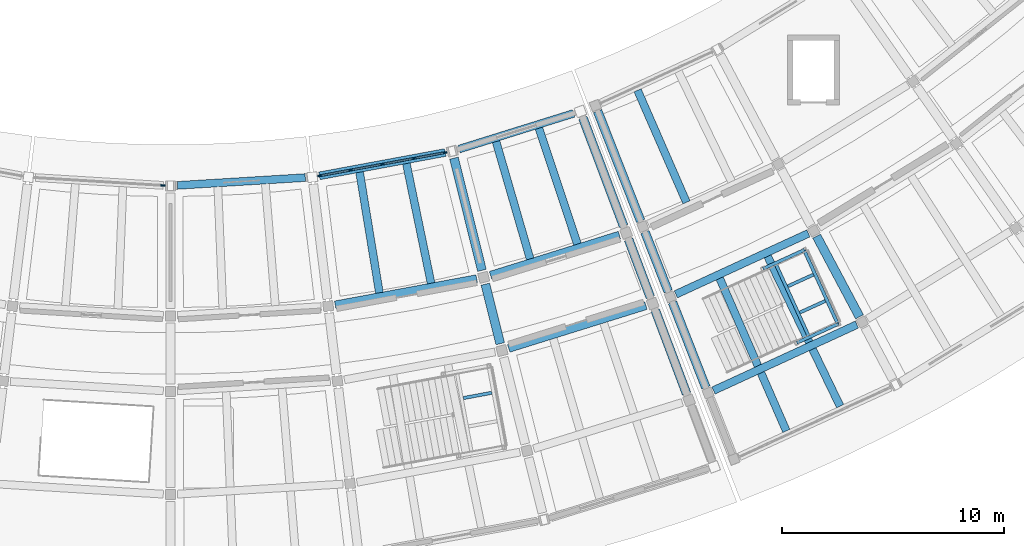
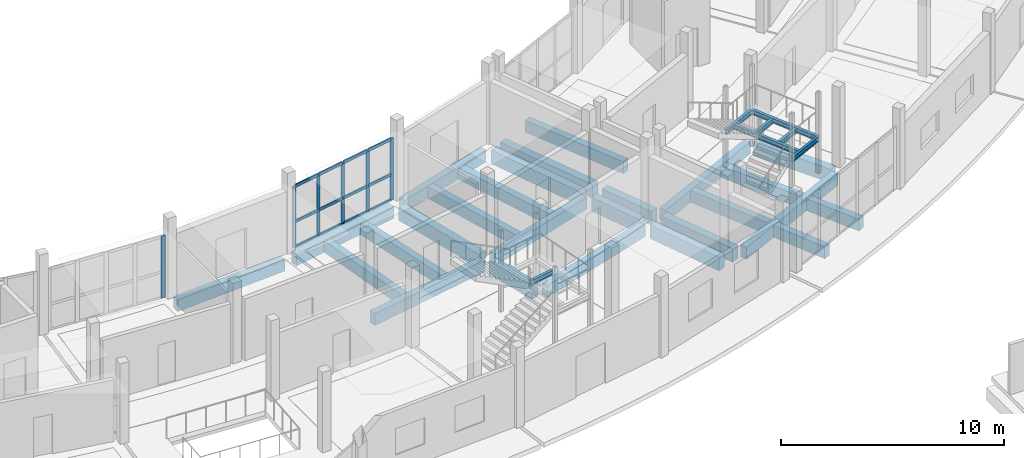
# One storey, part 34 of 92: 31 beams, 18 members, 2 elements without a shape of their own.
"""IFC4 building model written with IfcOpenShell, lengths in metres."""

from ifc_helpers import new_model, si_unit, direction, frame, origin, origin_2d, place, context, subcontext, project, spatial, rectangle, i_section, extrude, material, layer, layer_set, material_profile, profile_set, type_object, element, aggregate, save


model = new_model("IFC4")

# Units and contexts
model_context = context("Model", 3, precision=1e-05, world=origin(), true_north=direction((0.0, 1.0)))
body_context = subcontext(model_context, "Body", "Model", "MODEL_VIEW")
ifc_project = project(units=[si_unit("LENGTHUNIT", "METRE"), si_unit("AREAUNIT", "SQUARE_METRE"), si_unit("VOLUMEUNIT", "CUBIC_METRE"), si_unit("PLANEANGLEUNIT", "RADIAN"), si_unit("MASSUNIT", "GRAM", prefix="KILO")], contexts=[model_context])

# Site, building, storey
site_placement = place(None, origin())
site = spatial("IfcSite", under=ifc_project, at=site_placement, CompositionType="ELEMENT")
building_placement = place(site_placement, origin())
building = spatial("IfcBuilding", under=site, at=building_placement, Name="Caldaven Crescent School", CompositionType="ELEMENT")
storey_placement = place(building_placement, origin())
storey = spatial("IfcBuildingStorey", under=building, at=storey_placement, Name="L00", CompositionType="ELEMENT", Elevation=0.0)

# Beams
ifc_material_1 = material(Name="Concrete C30/37", Category="concrete")
ifc_material_profile_1 = material_profile(ifc_material_1, rectangle(XDim=0.35009765625, YDim=0.64990234375, at=origin_2d()), Name="RC 350x650")
ifc_profile_set_1 = profile_set([ifc_material_profile_1], Name="Concrete C30/37")
beam_type_1 = type_object("IfcBeamType", Name="BM-RC35", PredefinedType="BEAM", material=ifc_profile_set_1)
beam_1_placement = place(storey_placement, frame((95.419677734375, 38.19287109375, -0.5849609375), z_axis=(0.98325150179, 0.182253900447, 0.0), x_axis=(-0.182253900447, 0.98325150179, 0.0)))
element("IfcBeam", 1, at=beam_1_placement, inside=storey, type_object=beam_type_1, Name="BMT-V5-L00-0847", PredefinedType="BEAM", context=body_context, shape_type="SweptSolid", body=[
    extrude(rectangle(XDim=0.35009765625, YDim=0.64990234375, at=origin_2d()), origin(), (0.0, 0.0, 1.0), 6.47802734375),
])
for number, where, z_axis, x_axis, name in (
    (2, (96.5185546875, 44.162109375, -0.5849609375), (0.1621456196, -0.986766840771, 0.0), (0.986766840771, 0.1621456196, 0.0), "JSR-V5-L00-0851"),
    (3, (98.624267578125, 44.552490234375, -0.5849609375), (0.202223977827, -0.979339299115, 0.0), (0.979339299115, 0.202223977827, 0.0), "JSR-V5-L00-0853"),
):
    element("IfcBeam", number, at=place(storey_placement, frame(where, z_axis=z_axis, x_axis=x_axis)), inside=storey, type_object=beam_type_1, Name=name, PredefinedType="BEAM", context=body_context, shape_type="SweptSolid", body=[
        extrude(rectangle(XDim=0.35009765625, YDim=0.64990234375, at=origin_2d()), origin(), (0.0, 0.0, 1.0), 5.500244140625),
    ])
beam_2_placement = place(storey_placement, frame((102.40966796875, 39.52685546875, -0.5849609375), z_axis=(0.954744786765, 0.297426280187, 0.0), x_axis=(-0.297426280187, 0.954744786765, 0.0)))
element("IfcBeam", 4, at=beam_2_placement, inside=storey, type_object=beam_type_1, Name="BMT-V5-L00-0856", PredefinedType="BEAM", context=body_context, shape_type="SweptSolid", body=[
    extrude(rectangle(XDim=0.35009765625, YDim=0.64990234375, at=origin_2d()), origin(), (0.0, 0.0, 1.0), 6.07763671875),
])
beam_3_placement = place(storey_placement, frame((103.232177734375, 36.22802734375, -0.5849609375), z_axis=(0.954747523219, 0.297417495968, 0.0), x_axis=(-0.297417495968, 0.954747523219, 0.0)))
element("IfcBeam", 5, at=beam_3_placement, inside=storey, type_object=beam_type_1, Name="BMT-V5-L00-0857", PredefinedType="BEAM", context=body_context, shape_type="SweptSolid", body=[
    extrude(rectangle(XDim=0.35009765625, YDim=0.64990234375, at=origin_2d()), origin(), (0.0, 0.0, 1.0), 6.46923828125),
])
for number, where, z_axis, x_axis, name in (
    (6, (102.65966796875, 45.5439453125, -0.5849609375), (0.279002947137, -0.960290245441, 0.0), (0.960290245441, 0.279002947137, 0.0), "JSR-V5-L00-0860"),
    (7, (104.589111328125, 46.14501953125, -0.5849609375), (0.315748444817, -0.948842937264, 0.0), (0.948842937264, 0.315748444817, 0.0), "JSR-V5-L00-0862"),
):
    element("IfcBeam", number, at=place(storey_placement, frame(where, z_axis=z_axis, x_axis=x_axis)), inside=storey, type_object=beam_type_1, Name=name, PredefinedType="BEAM", context=body_context, shape_type="SweptSolid", body=[
        extrude(rectangle(XDim=0.35009765625, YDim=0.64990234375, at=origin_2d()), origin(), (0.0, 0.0, 1.0), 5.50146484375),
    ])
beam_4_placement = place(storey_placement, frame((110.752685546875, 38.66455078125, -0.5849609375), z_axis=(0.908527415964, 0.417825243902, 0.0), x_axis=(-0.417825243902, 0.908527415964, 0.0)))
element("IfcBeam", 8, at=beam_4_placement, inside=storey, type_object=beam_type_1, Name="BMT-V4E-L00-0890", PredefinedType="BEAM", context=body_context, shape_type="SweptSolid", body=[
    extrude(rectangle(XDim=0.35009765625, YDim=0.64990234375, at=origin_2d()), origin(), (0.0, 0.0, 1.0), 6.5693359375),
])
beam_5_placement = place(storey_placement, frame((112.448974609375, 34.3349609375, -0.5849609375), z_axis=(0.908521760174, 0.417837541744, 0.0), x_axis=(-0.417837541744, 0.908521760174, 0.0)))
element("IfcBeam", 9, at=beam_5_placement, inside=storey, type_object=beam_type_1, Name="BMT-V4E-L00-0891", PredefinedType="BEAM", context=body_context, shape_type="SweptSolid", body=[
    extrude(rectangle(XDim=0.35009765625, YDim=0.64990234375, at=origin_2d()), origin(), (0.0, 0.0, 1.0), 7.10498046875),
])
beam_6_placement = place(storey_placement, frame((109.031494140625, 47.85009765625, -0.5849609375), z_axis=(0.400262337977, -0.916400600609, 0.0), x_axis=(0.916400600609, 0.400262337977, 0.0)))
element("IfcBeam", 10, at=beam_6_placement, inside=storey, type_object=beam_type_1, Name="JSR-V4E-L00-0893", PredefinedType="BEAM", context=body_context, shape_type="SweptSolid", body=[
    extrude(rectangle(XDim=0.35009765625, YDim=0.64990234375, at=origin_2d()), origin(), (0.0, 0.0, 1.0), 5.501220703125),
])
for number, where, z_axis, x_axis, name in (
    (11, (112.728515625, 39.385986328125, -0.5849609375), (0.400260221892, -0.916401524863, 0.0), (0.916401524863, 0.400260221892, 0.0), "JSR-V4E-L00-0894"),
    (12, (114.887451171875, 40.37890625, -0.5849609375), (0.43521792748, -0.900325138825, 0.0), (0.900325138825, 0.43521792748, 0.0), "JSR-V4E-L00-0896"),
):
    element("IfcBeam", number, at=place(storey_placement, frame(where, z_axis=z_axis, x_axis=x_axis)), inside=storey, type_object=beam_type_1, Name=name, PredefinedType="BEAM", context=body_context, shape_type="SweptSolid", body=[
        extrude(rectangle(XDim=0.35009765625, YDim=0.64990234375, at=origin_2d()), origin(), (0.0, 0.0, 1.0), 7.498291015625),
    ])
ifc_material_2 = material(Name="Concrete C35/45", Category="concrete")
ifc_material_profile_2 = material_profile(ifc_material_2, rectangle(XDim=0.39990234375, YDim=0.75, at=origin_2d()), Name="RC 400x750")
ifc_profile_set_2 = profile_set([ifc_material_profile_2], Name="Concrete C35/45")
beam_type_2 = type_object("IfcBeamType", Name="BM-RC40", PredefinedType="BEAM", material=ifc_profile_set_2)
beam_7_placement = place(storey_placement, frame((100.76611328125, 44.797607421875, -0.635009765625), z_axis=(0.241929176694, -0.970293910866, 0.0), x_axis=(0.970293910866, 0.241929176694, 0.0)))
element("IfcBeam", 13, at=beam_7_placement, inside=storey, type_object=beam_type_2, Name="BMR-V5-L00-0806", PredefinedType="BEAM", context=body_context, shape_type="SweptSolid", body=[
    extrude(rectangle(XDim=0.39990234375, YDim=0.75, at=origin_2d()), origin(), (0.0, 0.0, 1.0), 5.210205078125),
])
beam_8_placement = place(storey_placement, frame((102.181396484375, 39.121337890625, -0.635009765625), z_axis=(0.241931983941, -0.970293210914, 0.0), x_axis=(0.970293210914, 0.241931983941, 0.0)))
element("IfcBeam", 14, at=beam_8_placement, inside=storey, type_object=beam_type_2, Name="BMR-V5-L00-0807", PredefinedType="BEAM", context=body_context, shape_type="SweptSolid", body=[
    extrude(rectangle(XDim=0.39990234375, YDim=0.75, at=origin_2d()), origin(), (0.0, 0.0, 1.0), 2.760009765625),
])
beam_9_placement = place(storey_placement, frame((106.571533203125, 46.60595703125, -0.635009765625), z_axis=(0.351919294366, -0.936030346865, 0.0), x_axis=(0.936030346865, 0.351919294366, 0.0)))
element("IfcBeam", 15, at=beam_9_placement, inside=storey, type_object=beam_type_2, Name="BMR-V5-L00-0810", PredefinedType="BEAM", context=body_context, shape_type="SweptSolid", body=[
    extrude(rectangle(XDim=0.39990234375, YDim=0.75, at=origin_2d()), origin(), (0.0, 0.0, 1.0), 5.2099609375),
])
beam_10_placement = place(storey_placement, frame((108.630126953125, 41.130126953125, -0.635009765625), z_axis=(0.351956947483, -0.93601618956, 0.0), x_axis=(0.93601618956, 0.351956947483, 0.0)))
element("IfcBeam", 16, at=beam_10_placement, inside=storey, type_object=beam_type_2, Name="BMR-V5-L00-0811", PredefinedType="BEAM", context=body_context, shape_type="SweptSolid", body=[
    extrude(rectangle(XDim=0.39990234375, YDim=0.75, at=origin_2d()), origin(), (0.0, 0.0, 1.0), 2.760009765625),
])
beam_11_placement = place(storey_placement, frame((109.826904296875, 37.94775390625, -0.635009765625), z_axis=(0.35191064183, -0.936033599913, 0.0), x_axis=(0.936033599913, 0.35191064183, 0.0)))
element("IfcBeam", 17, at=beam_11_placement, inside=storey, type_object=beam_type_2, Name="BMR-V5-L00-0812", PredefinedType="BEAM", context=body_context, shape_type="SweptSolid", body=[
    extrude(rectangle(XDim=0.39990234375, YDim=0.75, at=origin_2d()), origin(), (0.0, 0.0, 1.0), 4.010009765625),
])
beam_12_placement = place(storey_placement, frame((107.231689453125, 46.912841796875, -0.635009765625), z_axis=(0.364785905492, -0.931091425777, 0.0), x_axis=(0.931091425777, 0.364785905492, 0.0)))
element("IfcBeam", 18, at=beam_12_placement, inside=storey, type_object=beam_type_2, Name="BMR-V4E-L00-0864", PredefinedType="BEAM", context=body_context, shape_type="SweptSolid", body=[
    extrude(rectangle(XDim=0.39990234375, YDim=0.75, at=origin_2d()), origin(), (0.0, 0.0, 1.0), 5.31005859375),
])
beam_13_placement = place(storey_placement, frame((109.365478515625, 41.466064453125, -0.635009765625), z_axis=(0.364817703194, -0.931078967347, 0.0), x_axis=(0.931078967347, 0.364817703194, 0.0)))
element("IfcBeam", 19, at=beam_13_placement, inside=storey, type_object=beam_type_2, Name="BMR-V4E-L00-0865", PredefinedType="BEAM", context=body_context, shape_type="SweptSolid", body=[
    extrude(rectangle(XDim=0.39990234375, YDim=0.75, at=origin_2d()), origin(), (0.0, 0.0, 1.0), 2.860107421875),
])
for number, where, z_axis, x_axis, name in (
    (20, (110.60595703125, 38.30029296875, -0.635009765625), (0.364795759653, -0.931087565022, 0.0), (0.931087565022, 0.364795759653, 0.0), "BMR-V4E-L00-0866"),
    (21, (117.09326171875, 41.28369140625, -0.635009765625), (0.469456327147, -0.882955693623, 0.0), (0.882955693623, 0.469456327147, 0.0), "BMR-V4E-L00-0870"),
):
    element("IfcBeam", number, at=place(storey_placement, frame(where, z_axis=z_axis, x_axis=x_axis)), inside=storey, type_object=beam_type_2, Name=name, PredefinedType="BEAM", context=body_context, shape_type="SweptSolid", body=[
        extrude(rectangle(XDim=0.39990234375, YDim=0.75, at=origin_2d()), origin(), (0.0, 0.0, 1.0), 4.10986328125),
    ])
ifc_material_3 = material(Name="Steel ASTM A572 Grade 50", Category="steel")
ifc_material_profile_3 = material_profile(ifc_material_3, i_section(OverallWidth=0.14599609375, OverallDepth=0.258056640625, WebThickness=0.006103515625, FlangeThickness=0.009033203125, FilletRadius=0.011962890625, at=origin_2d()), Name="W250x33")
ifc_profile_set_3 = profile_set([ifc_material_profile_3], Name="Steel ASTM A572 Grade 50")
beam_type_3 = type_object("IfcBeamType", Name="BM-W25", PredefinedType="BEAM", material=ifc_profile_set_3)
beam_14_placement = place(storey_placement, frame((116.19921875, 36.4853515625, 1.885986328125), z_axis=(0.909970452599, 0.414673094614, 0.0), x_axis=(-0.414673094614, 0.909970452599, 0.0)))
element("IfcBeam", 22, at=beam_14_placement, inside=storey, type_object=beam_type_3, Name="BM-STSIDE-ST4-L00-SL", PredefinedType="BEAM", context=body_context, shape_type="SweptSolid", body=[
    extrude(i_section(OverallWidth=0.14599609375, OverallDepth=0.258056640625, WebThickness=0.006103515625, FlangeThickness=0.009033203125, FilletRadius=0.011962890625, at=origin_2d()), origin(), (0.0, 0.0, 1.0), 2.050048828125),
])
beam_15_placement = place(storey_placement, frame((114.681640625, 39.81591796875, 1.885986328125), z_axis=(0.90994997121, 0.414718036617, 0.0), x_axis=(-0.414718036617, 0.90994997121, 0.0)))
element("IfcBeam", 23, at=beam_15_placement, inside=storey, type_object=beam_type_3, Name="BM-STSIDE-ST4-L00-SR", PredefinedType="BEAM", context=body_context, shape_type="SweptSolid", body=[
    extrude(i_section(OverallWidth=0.14599609375, OverallDepth=0.258056640625, WebThickness=0.006103515625, FlangeThickness=0.009033203125, FilletRadius=0.011962890625, at=origin_2d()), origin(), (0.0, 0.0, 1.0), 2.0498046875),
])
for number, where, z_axis, x_axis, name in (
    (24, (116.75439453125, 36.738525390625, 1.885986328125), (-0.414717443791, 0.909950241395, 0.0), (-0.909950241395, -0.414717443791, 0.0), "BM-STLND-ST4-L00-IN"),
    (25, (118.046630859375, 37.327392578125, 1.885986328125), (-0.414717443791, 0.909950241395, 0.0), (-0.909950241395, -0.414717443791, 0.0), "BM-STLND-ST4-L00-OUT"),
):
    element("IfcBeam", number, at=place(storey_placement, frame(where, z_axis=z_axis, x_axis=x_axis)), inside=storey, type_object=beam_type_3, Name=name, PredefinedType="BEAM", context=body_context, shape_type="SweptSolid", body=[
        extrude(i_section(OverallWidth=0.14599609375, OverallDepth=0.258056640625, WebThickness=0.006103515625, FlangeThickness=0.009033203125, FilletRadius=0.011962890625, at=origin_2d()), origin(), (0.0, 0.0, 1.0), 3.659912109375),
    ])

# Curtain wall, members
ifc_material_4 = material(Name="Anodised aluminium AA 6063-T6 and low-E double glazing", Category="aluminium")
ifc_layer_1 = layer(ifc_material_4, 0.2099609375)
ifc_layer_set_1 = layer_set([ifc_layer_1], Name="Anodised aluminium AA 6063-T6 and low-E double glazing")
curtain_wall_type_1 = type_object("IfcCurtainWallType", Name="CW-SYS3", PredefinedType="NOTDEFINED", material=ifc_layer_set_1)
curtain_wall_1_placement = place(storey_placement, origin())
curtain_wall_1 = element("IfcCurtainWall", 26, at=curtain_wall_1_placement, inside=storey, type_object=curtain_wall_type_1, Name="CW-L00-111", PredefinedType="NOTDEFINED")
ifc_material_5 = material(Name="Anodised aluminium AA 6063-T6", Category="aluminium")
ifc_material_profile_4 = material_profile(ifc_material_5, rectangle(XDim=0.06494140625, YDim=0.179931640625, at=origin_2d()), Name="CWM 65x180")
ifc_profile_set_4 = profile_set([ifc_material_profile_4], Name="Anodised aluminium AA 6063-T6")
member_type_1 = type_object("IfcMemberType", Name="CWM-T2", PredefinedType="MULLION", material=ifc_profile_set_4)
member_1_placement = place(storey_placement, frame((94.718994140625, 44.00146484375, 0.0), z_axis=(0.0, 0.0, 1.0), x_axis=(-0.182236405836, 0.983254744401, 0.0)))
member_1 = element("IfcMember", 27, at=member_1_placement, type_object=member_type_1, Name="CW3 mullion 1", PredefinedType="MULLION", context=body_context, shape_type="SweptSolid", body=[
    extrude(rectangle(XDim=0.06494140625, YDim=0.179931640625, at=origin_2d()), origin(), (0.0, 0.0, 1.0), 3.39990234375),
])
member_2_placement = place(storey_placement, frame((96.11376953125, 44.260009765625, 0.0), z_axis=(0.0, 0.0, 1.0), x_axis=(-0.182236405836, 0.983254744401, 0.0)))
member_2 = element("IfcMember", 28, at=member_2_placement, type_object=member_type_1, Name="CW3 mullion 2", PredefinedType="MULLION", context=body_context, shape_type="SweptSolid", body=[
    extrude(rectangle(XDim=0.06494140625, YDim=0.179931640625, at=origin_2d()), origin(), (0.0, 0.0, 1.0), 3.39990234375),
])
member_3_placement = place(storey_placement, frame((97.54052734375, 44.5244140625, 0.0), z_axis=(0.0, 0.0, 1.0), x_axis=(-0.182236405836, 0.983254744401, 0.0)))
member_3 = element("IfcMember", 29, at=member_3_placement, type_object=member_type_1, Name="CW3 mullion 3", PredefinedType="MULLION", context=body_context, shape_type="SweptSolid", body=[
    extrude(rectangle(XDim=0.06494140625, YDim=0.179931640625, at=origin_2d()), origin(), (0.0, 0.0, 1.0), 3.39990234375),
])
member_4_placement = place(storey_placement, frame((98.967041015625, 44.788818359375, 0.0), z_axis=(0.0, 0.0, 1.0), x_axis=(-0.182236405836, 0.983254744401, 0.0)))
member_4 = element("IfcMember", 30, at=member_4_placement, type_object=member_type_1, Name="CW3 mullion 4", PredefinedType="MULLION", context=body_context, shape_type="SweptSolid", body=[
    extrude(rectangle(XDim=0.06494140625, YDim=0.179931640625, at=origin_2d()), origin(), (0.0, 0.0, 1.0), 3.39990234375),
])
member_5_placement = place(storey_placement, frame((100.36181640625, 45.04736328125, 0.0), z_axis=(0.0, 0.0, 1.0), x_axis=(-0.182236405836, 0.983254744401, 0.0)))
member_5 = element("IfcMember", 31, at=member_5_placement, type_object=member_type_1, Name="CW3 mullion 5", PredefinedType="MULLION", context=body_context, shape_type="SweptSolid", body=[
    extrude(rectangle(XDim=0.06494140625, YDim=0.179931640625, at=origin_2d()), origin(), (0.0, 0.0, 1.0), 3.39990234375),
])

# Curtain wall, member
ifc_layer_2 = layer(ifc_material_4, 0.169921875)
ifc_layer_set_2 = layer_set([ifc_layer_2], Name="Anodised aluminium AA 6063-T6 and low-E double glazing")
curtain_wall_type_2 = type_object("IfcCurtainWallType", Name="CW-SYS1", PredefinedType="NOTDEFINED", material=ifc_layer_set_2)
curtain_wall_2_placement = place(storey_placement, origin())
curtain_wall_2 = element("IfcCurtainWall", 32, at=curtain_wall_2_placement, inside=storey, type_object=curtain_wall_type_2, Name="CW-L00-109", PredefinedType="NOTDEFINED")
ifc_material_profile_5 = material_profile(ifc_material_5, rectangle(XDim=0.070068359375, YDim=0.2099609375, at=origin_2d()), Name="CWM 70x210")
ifc_profile_set_5 = profile_set([ifc_material_profile_5], Name="Anodised aluminium AA 6063-T6")
member_type_2 = type_object("IfcMemberType", Name="CWM-T3", PredefinedType="MULLION", material=ifc_profile_set_5)
member_6_placement = place(storey_placement, frame((87.66552734375, 43.570556640625, 0.0), z_axis=(0.0, 0.0, 1.0), x_axis=(0.061049319496, 0.998134750717, 0.0)))
member_6 = element("IfcMember", 33, at=member_6_placement, type_object=member_type_2, Name="CW1 mullion 5", PredefinedType="MULLION", context=body_context, shape_type="SweptSolid", body=[
    extrude(rectangle(XDim=0.070068359375, YDim=0.2099609375, at=origin_2d()), origin(), (0.0, 0.0, 1.0), 3.39990234375),
])
aggregate(curtain_wall_2, [member_6])

# Member
ifc_material_profile_6 = material_profile(ifc_material_5, rectangle(XDim=0.070068359375, YDim=0.159912109375, at=origin_2d()), Name="CWT 70x160")
ifc_profile_set_6 = profile_set([ifc_material_profile_6], Name="Anodised aluminium AA 6063-T6")
member_type_3 = type_object("IfcMemberType", Name="CWT-T3", PredefinedType="USERDEFINED", material=ifc_profile_set_6)
member_7_placement = place(storey_placement, frame((94.7509765625, 44.007568359375, 0.034912109375), z_axis=(0.983264057672, 0.182186149009, 0.0), x_axis=(-0.182186149009, 0.983264057672, 0.0)))
member_7 = element("IfcMember", 34, at=member_7_placement, type_object=member_type_3, Name="CW3 transom 1.1", ObjectType="TRANSOM", PredefinedType="USERDEFINED", context=body_context, shape_type="SweptSolid", body=[
    extrude(rectangle(XDim=0.070068359375, YDim=0.159912109375, at=origin_2d()), origin(), (0.0, 0.0, 1.0), 1.353515625),
])

member_8_placement = place(storey_placement, frame((94.7509765625, 44.007568359375, 1.427978515625), z_axis=(0.983264057672, 0.182186149009, 0.0), x_axis=(-0.182186149009, 0.983264057672, 0.0)))
member_8 = element("IfcMember", 35, at=member_8_placement, type_object=member_type_3, Name="CW3 transom 1.2", ObjectType="TRANSOM", PredefinedType="USERDEFINED", context=body_context, shape_type="SweptSolid", body=[
    extrude(rectangle(XDim=0.070068359375, YDim=0.159912109375, at=origin_2d()), origin(), (0.0, 0.0, 1.0), 1.353515625),
])

member_9_placement = place(storey_placement, frame((94.7509765625, 44.007568359375, 3.364990234375), z_axis=(0.983264057672, 0.182186149009, 0.0), x_axis=(-0.182186149009, 0.983264057672, 0.0)))
member_9 = element("IfcMember", 36, at=member_9_placement, type_object=member_type_3, Name="CW3 transom 1.3", ObjectType="TRANSOM", PredefinedType="USERDEFINED", context=body_context, shape_type="SweptSolid", body=[
    extrude(rectangle(XDim=0.070068359375, YDim=0.159912109375, at=origin_2d()), origin(), (0.0, 0.0, 1.0), 1.353515625),
])

member_10_placement = place(storey_placement, frame((96.145751953125, 44.265869140625, 0.034912109375), z_axis=(0.983241097753, 0.182310020812, 0.0), x_axis=(-0.182310020812, 0.983241097753, 0.0)))
member_10 = element("IfcMember", 37, at=member_10_placement, type_object=member_type_3, Name="CW3 transom 2.1", ObjectType="TRANSOM", PredefinedType="USERDEFINED", context=body_context, shape_type="SweptSolid", body=[
    extrude(rectangle(XDim=0.070068359375, YDim=0.159912109375, at=origin_2d()), origin(), (0.0, 0.0, 1.0), 1.385986328125),
])

member_11_placement = place(storey_placement, frame((96.145751953125, 44.265869140625, 1.427978515625), z_axis=(0.983241097753, 0.182310020812, 0.0), x_axis=(-0.182310020812, 0.983241097753, 0.0)))
member_11 = element("IfcMember", 38, at=member_11_placement, type_object=member_type_3, Name="CW3 transom 2.2", ObjectType="TRANSOM", PredefinedType="USERDEFINED", context=body_context, shape_type="SweptSolid", body=[
    extrude(rectangle(XDim=0.070068359375, YDim=0.159912109375, at=origin_2d()), origin(), (0.0, 0.0, 1.0), 1.385986328125),
])

member_12_placement = place(storey_placement, frame((96.145751953125, 44.265869140625, 3.364990234375), z_axis=(0.983241097753, 0.182310020812, 0.0), x_axis=(-0.182310020812, 0.983241097753, 0.0)))
member_12 = element("IfcMember", 39, at=member_12_placement, type_object=member_type_3, Name="CW3 transom 2.3", ObjectType="TRANSOM", PredefinedType="USERDEFINED", context=body_context, shape_type="SweptSolid", body=[
    extrude(rectangle(XDim=0.070068359375, YDim=0.159912109375, at=origin_2d()), origin(), (0.0, 0.0, 1.0), 1.385986328125),
])

member_13_placement = place(storey_placement, frame((97.572265625, 44.5302734375, 0.034912109375), z_axis=(0.983241097753, 0.182310020812, 0.0), x_axis=(-0.182310020812, 0.983241097753, 0.0)))
member_13 = element("IfcMember", 40, at=member_13_placement, type_object=member_type_3, Name="CW3 transom 3.1", ObjectType="TRANSOM", PredefinedType="USERDEFINED", context=body_context, shape_type="SweptSolid", body=[
    extrude(rectangle(XDim=0.070068359375, YDim=0.159912109375, at=origin_2d()), origin(), (0.0, 0.0, 1.0), 1.385986328125),
])

member_14_placement = place(storey_placement, frame((97.572265625, 44.5302734375, 1.427978515625), z_axis=(0.983241097753, 0.182310020812, 0.0), x_axis=(-0.182310020812, 0.983241097753, 0.0)))
member_14 = element("IfcMember", 41, at=member_14_placement, type_object=member_type_3, Name="CW3 transom 3.2", ObjectType="TRANSOM", PredefinedType="USERDEFINED", context=body_context, shape_type="SweptSolid", body=[
    extrude(rectangle(XDim=0.070068359375, YDim=0.159912109375, at=origin_2d()), origin(), (0.0, 0.0, 1.0), 1.385986328125),
])

member_15_placement = place(storey_placement, frame((97.572265625, 44.5302734375, 3.364990234375), z_axis=(0.983241097753, 0.182310020812, 0.0), x_axis=(-0.182310020812, 0.983241097753, 0.0)))
member_15 = element("IfcMember", 42, at=member_15_placement, type_object=member_type_3, Name="CW3 transom 3.3", ObjectType="TRANSOM", PredefinedType="USERDEFINED", context=body_context, shape_type="SweptSolid", body=[
    extrude(rectangle(XDim=0.070068359375, YDim=0.159912109375, at=origin_2d()), origin(), (0.0, 0.0, 1.0), 1.385986328125),
])

member_16_placement = place(storey_placement, frame((98.9990234375, 44.794921875, 0.034912109375), z_axis=(0.983264057672, 0.182186149009, 0.0), x_axis=(-0.182186149009, 0.983264057672, 0.0)))
member_16 = element("IfcMember", 43, at=member_16_placement, type_object=member_type_3, Name="CW3 transom 4.1", ObjectType="TRANSOM", PredefinedType="USERDEFINED", context=body_context, shape_type="SweptSolid", body=[
    extrude(rectangle(XDim=0.070068359375, YDim=0.159912109375, at=origin_2d()), origin(), (0.0, 0.0, 1.0), 1.353515625),
])

member_17_placement = place(storey_placement, frame((98.9990234375, 44.794921875, 1.427978515625), z_axis=(0.983264057672, 0.182186149009, 0.0), x_axis=(-0.182186149009, 0.983264057672, 0.0)))
member_17 = element("IfcMember", 44, at=member_17_placement, type_object=member_type_3, Name="CW3 transom 4.2", ObjectType="TRANSOM", PredefinedType="USERDEFINED", context=body_context, shape_type="SweptSolid", body=[
    extrude(rectangle(XDim=0.070068359375, YDim=0.159912109375, at=origin_2d()), origin(), (0.0, 0.0, 1.0), 1.353515625),
])

member_18_placement = place(storey_placement, frame((98.9990234375, 44.794921875, 3.364990234375), z_axis=(0.983264057672, 0.182186149009, 0.0), x_axis=(-0.182186149009, 0.983264057672, 0.0)))
member_18 = element("IfcMember", 45, at=member_18_placement, type_object=member_type_3, Name="CW3 transom 4.3", ObjectType="TRANSOM", PredefinedType="USERDEFINED", context=body_context, shape_type="SweptSolid", body=[
    extrude(rectangle(XDim=0.070068359375, YDim=0.159912109375, at=origin_2d()), origin(), (0.0, 0.0, 1.0), 1.353515625),
])

aggregate(curtain_wall_1, [member_1, member_2, member_3, member_4, member_5, member_7, member_8, member_9, member_10, member_11, member_12, member_13, member_14, member_15, member_16, member_17, member_18])

# Beams
ifc_material_profile_7 = material_profile(ifc_material_3, i_section(OverallWidth=0.14599609375, OverallDepth=0.258056640625, WebThickness=0.006103515625, FlangeThickness=0.009033203125, FilletRadius=0.011962890625, at=origin_2d()), Name="W250x33")
ifc_profile_set_7 = profile_set([ifc_material_profile_7], Name="Steel ASTM A572 Grade 50")
beam_type_4 = type_object("IfcBeamType", Name="LN-W25", PredefinedType="LINTEL", material=ifc_profile_set_7)
beam_16_placement = place(storey_placement, frame((101.190185546875, 33.995361328125, 1.885986328125), z_axis=(0.983235899236, 0.182338055416, 0.0), x_axis=(-0.182338055416, 0.983235899236, 0.0)))
element("IfcBeam", 46, at=beam_16_placement, inside=storey, type_object=beam_type_4, Name="BM-STJST-ST3-L00-JR", PredefinedType="LINTEL", context=body_context, shape_type="SweptSolid", body=[
    extrude(i_section(OverallWidth=0.14599609375, OverallDepth=0.258056640625, WebThickness=0.006103515625, FlangeThickness=0.009033203125, FilletRadius=0.011962890625, at=origin_2d()), origin(), (0.0, 0.0, 1.0), 1.300048828125),
])
for number, where, z_axis, x_axis, name in (
    (47, (116.337890625, 37.845458984375, 1.885986328125), (0.909967888005, 0.414678722387, 0.0), (-0.414678722387, 0.909967888005, 0.0), "BM-STJST-ST4-L00-JL"),
    (48, (115.798828125, 39.0283203125, 1.885986328125), (0.909967888005, 0.414678722387, 0.0), (-0.414678722387, 0.909967888005, 0.0), "BM-STJST-ST4-L00-JR"),
):
    element("IfcBeam", number, at=place(storey_placement, frame(where, z_axis=z_axis, x_axis=x_axis)), inside=storey, type_object=beam_type_4, Name=name, PredefinedType="LINTEL", context=body_context, shape_type="SweptSolid", body=[
        extrude(i_section(OverallWidth=0.14599609375, OverallDepth=0.258056640625, WebThickness=0.006103515625, FlangeThickness=0.009033203125, FilletRadius=0.011962890625, at=origin_2d()), origin(), (0.0, 0.0, 1.0), 1.260009765625),
    ])
ifc_material_profile_8 = material_profile(ifc_material_1, rectangle(XDim=0.35009765625, YDim=0.64990234375, at=origin_2d()), Name="RC 350x650")
ifc_profile_set_8 = profile_set([ifc_material_profile_8], Name="Concrete C30/37")
beam_type_5 = type_object("IfcBeamType", Name="SP-RC35", PredefinedType="SPANDREL", material=ifc_profile_set_8)
beam_17_placement = place(storey_placement, frame((88.3193359375, 43.569580078125, -0.5849609375), z_axis=(0.998135723054, 0.061033420051, 0.0), x_axis=(-0.061033420051, 0.998135723054, 0.0)))
element("IfcBeam", 49, at=beam_17_placement, inside=storey, type_object=beam_type_5, Name="BMT-V5-L00-0837", PredefinedType="SPANDREL", context=body_context, shape_type="SweptSolid", body=[
    extrude(rectangle(XDim=0.35009765625, YDim=0.64990234375, at=origin_2d()), origin(), (0.0, 0.0, 1.0), 5.76416015625),
])
beam_18_placement = place(storey_placement, frame((94.706787109375, 43.999267578125, -0.5849609375), z_axis=(0.983258403053, 0.18221666451, 0.0), x_axis=(-0.18221666451, 0.983258403053, 0.0)))
element("IfcBeam", 50, at=beam_18_placement, inside=storey, type_object=beam_type_5, Name="BMT-V5-L00-0846", PredefinedType="SPANDREL", context=body_context, shape_type="SweptSolid", body=[
    extrude(rectangle(XDim=0.35009765625, YDim=0.64990234375, at=origin_2d()), origin(), (0.0, 0.0, 1.0), 5.763916015625),
])
beam_19_placement = place(storey_placement, frame((100.994384765625, 45.203125, -0.5849609375), z_axis=(0.954742499469, 0.297433622356, 0.0), x_axis=(-0.297433622356, 0.954742499469, 0.0)))
element("IfcBeam", 51, at=beam_19_placement, inside=storey, type_object=beam_type_5, Name="BMT-V5-L00-0855", PredefinedType="SPANDREL", context=body_context, shape_type="SweptSolid", body=[
    extrude(rectangle(XDim=0.35009765625, YDim=0.64990234375, at=origin_2d()), origin(), (0.0, 0.0, 1.0), 5.403564453125),
])

save(model, "model.ifc")
